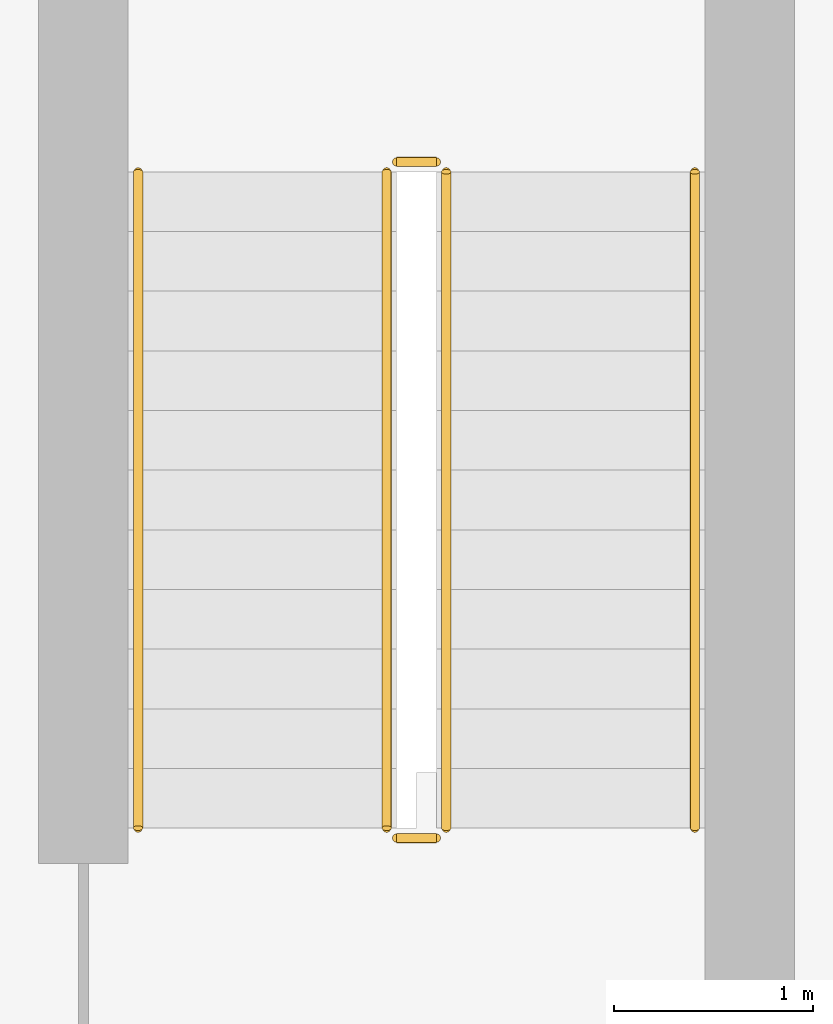
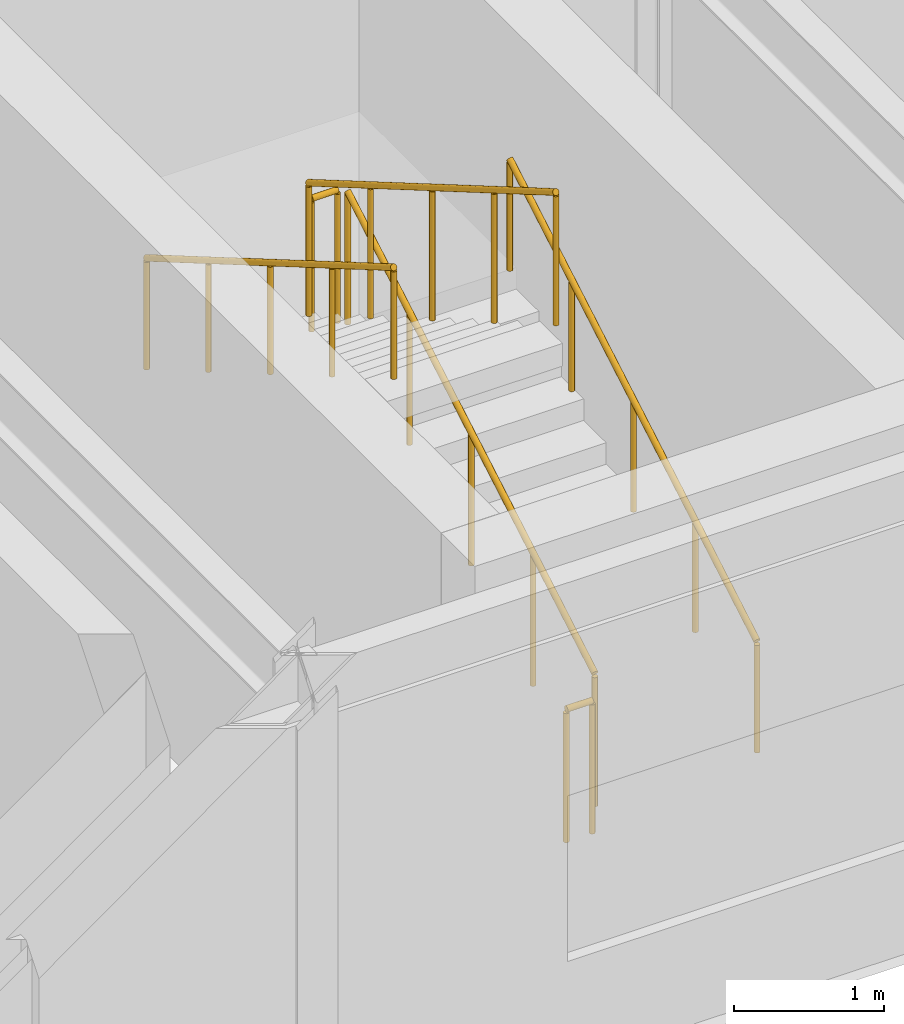
# One storey, part 133 of 134: 6 railings.
"""IFC4 building model written with IfcOpenShell, lengths in metres."""

from ifc_helpers import new_model, si_unit, direction, frame, origin, origin_2d, place, context, subcontext, project, spatial, circle, extrude, material, type_object, element, save


model = new_model("IFC4")

# Units and contexts
model_context = context("Model", 3, precision=1e-05, world=origin(), true_north=direction((0.0, 1.0)))
body_context = subcontext(model_context, "Body", "Model", "MODEL_VIEW")
ifc_project = project(units=[si_unit("LENGTHUNIT", "METRE"), si_unit("AREAUNIT", "SQUARE_METRE"), si_unit("VOLUMEUNIT", "CUBIC_METRE"), si_unit("PLANEANGLEUNIT", "RADIAN"), si_unit("MASSUNIT", "GRAM", prefix="KILO")], contexts=[model_context])

# Site, building, storey
site_placement = place(None, origin())
site = spatial("IfcSite", under=ifc_project, at=site_placement, CompositionType="ELEMENT")
building_placement = place(site_placement, origin())
building = spatial("IfcBuilding", under=site, at=building_placement, Name="Karori Crest Natural Sciences Institute", CompositionType="ELEMENT")
storey_placement = place(building_placement, frame((0.0, 0.0, 21.699951171875)))
storey = spatial("IfcBuildingStorey", under=building, at=storey_placement, Name="L05", CompositionType="ELEMENT", Elevation=21.699951171875)

# Railings
ifc_material_1 = material(Name="Stainless steel 316 tubular handrail", Category="steel")
railing_type_1 = type_object("IfcRailingType", Name="RLT-HND", PredefinedType="HANDRAIL", material=ifc_material_1)
railing_1_placement = place(storey_placement, frame((134.75, 3.0, 0.175048828125)))
element("IfcRailing", 1, at=railing_1_placement, inside=storey, type_object=railing_type_1, Name="Stair handrail RL-0200", PredefinedType="HANDRAIL", context=body_context, shape_type="SweptSolid", body=[
    extrude(circle(Radius=0.02392578125, at=origin_2d()), frame((0.0, 0.0, 0.90087890625), z_axis=(0.0, 0.863776583165, 0.503874998761), x_axis=(-1.0, 0.0, 0.0)), (0.0, 0.0, 1.0), 3.820556640625),
    extrude(circle(Radius=0.02099609375, at=origin_2d()), origin(), (0.0, 0.0, 1.0), 0.876953125),
    extrude(circle(Radius=0.02099609375, at=origin_2d()), frame((0.0, 0.824951171875, 0.481201171875)), (0.0, 0.0, 1.0), 0.876953125),
    extrude(circle(Radius=0.02099609375, at=origin_2d()), frame((0.0, 1.64990234375, 0.96240234375)), (0.0, 0.0, 1.0), 0.876953125),
    extrude(circle(Radius=0.02099609375, at=origin_2d()), frame((0.0, 2.47509765625, 1.44384765625)), (0.0, 0.0, 1.0), 0.876953125),
    extrude(circle(Radius=0.02099609375, at=origin_2d()), frame((0.0, 3.300048828125, 1.925048828125)), (0.0, 0.0, 1.0), 0.876953125),
])
railing_2_placement = place(storey_placement, frame((131.949951171875, 6.300048828125, 2.275146484375)))
element("IfcRailing", 2, at=railing_2_placement, inside=storey, type_object=railing_type_1, Name="Stair handrail RL-0201", PredefinedType="HANDRAIL", context=body_context, shape_type="SweptSolid", body=[
    extrude(circle(Radius=0.02392578125, at=origin_2d()), frame((0.0, 0.0, 0.90087890625), z_axis=(0.0, -0.863804395585, 0.503827317807), x_axis=(1.0, 0.0, 0.0)), (0.0, 0.0, 1.0), 3.8203125),
    extrude(circle(Radius=0.02099609375, at=origin_2d()), origin(), (0.0, 0.0, 1.0), 0.876953125),
    extrude(circle(Radius=0.02099609375, at=origin_2d()), frame((0.0, -0.824951171875, 0.481201171875)), (0.0, 0.0, 1.0), 0.876953125),
    extrude(circle(Radius=0.02099609375, at=origin_2d()), frame((0.0, -1.64990234375, 0.96240234375)), (0.0, 0.0, 1.0), 0.876953125),
    extrude(circle(Radius=0.02099609375, at=origin_2d()), frame((0.0, -2.47509765625, 1.443603515625)), (0.0, 0.0, 1.0), 0.876953125),
    extrude(circle(Radius=0.02099609375, at=origin_2d()), frame((0.0, -3.300048828125, 1.9248046875)), (0.0, 0.0, 1.0), 0.876953125),
])
ifc_material_2 = material(Name="Stainless steel 316 stair guard", Category="steel")
railing_type_2 = type_object("IfcRailingType", Name="RLT-STG", PredefinedType="GUARDRAIL", material=ifc_material_2)
railing_3_placement = place(storey_placement, frame((133.5, 3.0, 0.175048828125)))
element("IfcRailing", 3, at=railing_3_placement, inside=storey, type_object=railing_type_2, Name="Stair guard RL-0196", PredefinedType="GUARDRAIL", context=body_context, shape_type="SweptSolid", body=[
    extrude(circle(Radius=0.02392578125, at=origin_2d()), frame((0.0, 0.0, 1.076171875), z_axis=(0.0, 0.863776583165, 0.503874998761), x_axis=(-1.0, 0.0, 0.0)), (0.0, 0.0, 1.0), 3.820556640625),
    extrude(circle(Radius=0.02099609375, at=origin_2d()), origin(), (0.0, 0.0, 1.0), 1.052001953125),
    extrude(circle(Radius=0.02099609375, at=origin_2d()), frame((0.0, 0.824951171875, 0.481201171875)), (0.0, 0.0, 1.0), 1.052001953125),
    extrude(circle(Radius=0.02099609375, at=origin_2d()), frame((0.0, 1.64990234375, 0.96240234375)), (0.0, 0.0, 1.0), 1.052001953125),
    extrude(circle(Radius=0.02099609375, at=origin_2d()), frame((0.0, 2.47509765625, 1.44384765625)), (0.0, 0.0, 1.0), 1.052001953125),
    extrude(circle(Radius=0.02099609375, at=origin_2d()), frame((0.0, 3.300048828125, 1.925048828125)), (0.0, 0.0, 1.0), 1.052001953125),
])
railing_4_placement = place(storey_placement, frame((133.449951171875, 6.35009765625, 2.10009765625)))
element("IfcRailing", 4, at=railing_4_placement, inside=storey, type_object=railing_type_2, Name="Stair guard RL-0197", PredefinedType="GUARDRAIL", context=body_context, shape_type="SweptSolid", body=[
    extrude(circle(Radius=0.02392578125, at=origin_2d()), frame((0.0, 0.0, 1.076171875), z_axis=(-1.0, 0.0, 0.0), x_axis=(0.0, -1.0, 0.0)), (0.0, 0.0, 1.0), 0.199951171875),
    extrude(circle(Radius=0.02099609375, at=origin_2d()), origin(), (0.0, 0.0, 1.0), 1.052001953125),
    extrude(circle(Radius=0.02099609375, at=origin_2d()), frame((-0.199951171875, 0.0, 0.0)), (0.0, 0.0, 1.0), 1.052001953125),
])
railing_5_placement = place(storey_placement, frame((133.199951171875, 6.300048828125, 2.275146484375)))
element("IfcRailing", 5, at=railing_5_placement, inside=storey, type_object=railing_type_2, Name="Stair guard RL-0198", PredefinedType="GUARDRAIL", context=body_context, shape_type="SweptSolid", body=[
    extrude(circle(Radius=0.02392578125, at=origin_2d()), frame((0.0, 0.0, 1.076171875), z_axis=(0.0, -0.863804395585, 0.503827317807), x_axis=(1.0, 0.0, 0.0)), (0.0, 0.0, 1.0), 3.8203125),
    extrude(circle(Radius=0.02099609375, at=origin_2d()), origin(), (0.0, 0.0, 1.0), 1.052001953125),
    extrude(circle(Radius=0.02099609375, at=origin_2d()), frame((0.0, -0.824951171875, 0.481201171875)), (0.0, 0.0, 1.0), 1.052001953125),
    extrude(circle(Radius=0.02099609375, at=origin_2d()), frame((0.0, -1.64990234375, 0.96240234375)), (0.0, 0.0, 1.0), 1.052001953125),
    extrude(circle(Radius=0.02099609375, at=origin_2d()), frame((0.0, -2.47509765625, 1.443603515625)), (0.0, 0.0, 1.0), 1.052001953125),
    extrude(circle(Radius=0.02099609375, at=origin_2d()), frame((0.0, -3.300048828125, 1.9248046875)), (0.0, 0.0, 1.0), 1.052001953125),
])
railing_6_placement = place(storey_placement, frame((133.449951171875, 2.949951171875, 0.0)))
element("IfcRailing", 6, at=railing_6_placement, inside=storey, type_object=railing_type_2, Name="Stair guard RL-0199", PredefinedType="GUARDRAIL", context=body_context, shape_type="SweptSolid", body=[
    extrude(circle(Radius=0.02392578125, at=origin_2d()), frame((0.0, 0.0, 1.076171875), z_axis=(-1.0, 0.0, 0.0), x_axis=(0.0, -1.0, 0.0)), (0.0, 0.0, 1.0), 0.199951171875),
    extrude(circle(Radius=0.02099609375, at=origin_2d()), origin(), (0.0, 0.0, 1.0), 1.052001953125),
    extrude(circle(Radius=0.02099609375, at=origin_2d()), frame((-0.199951171875, 0.0, 0.0)), (0.0, 0.0, 1.0), 1.052001953125),
])

save(model, "model.ifc")
